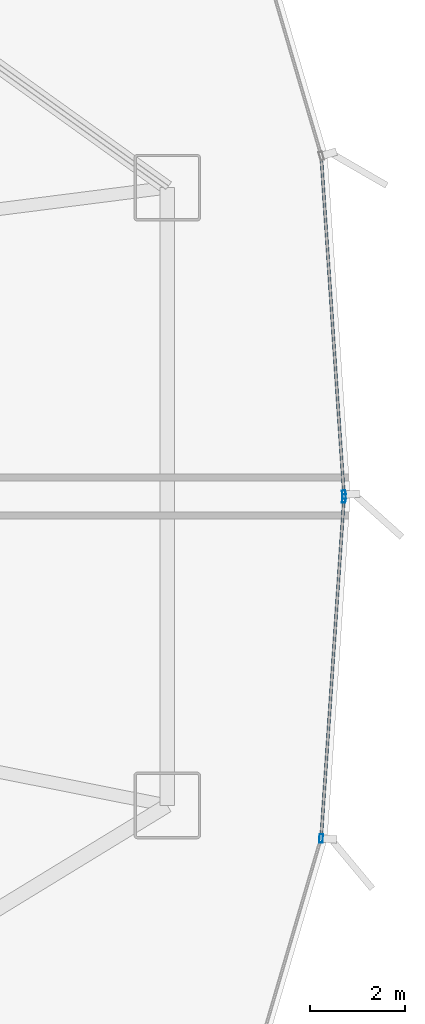
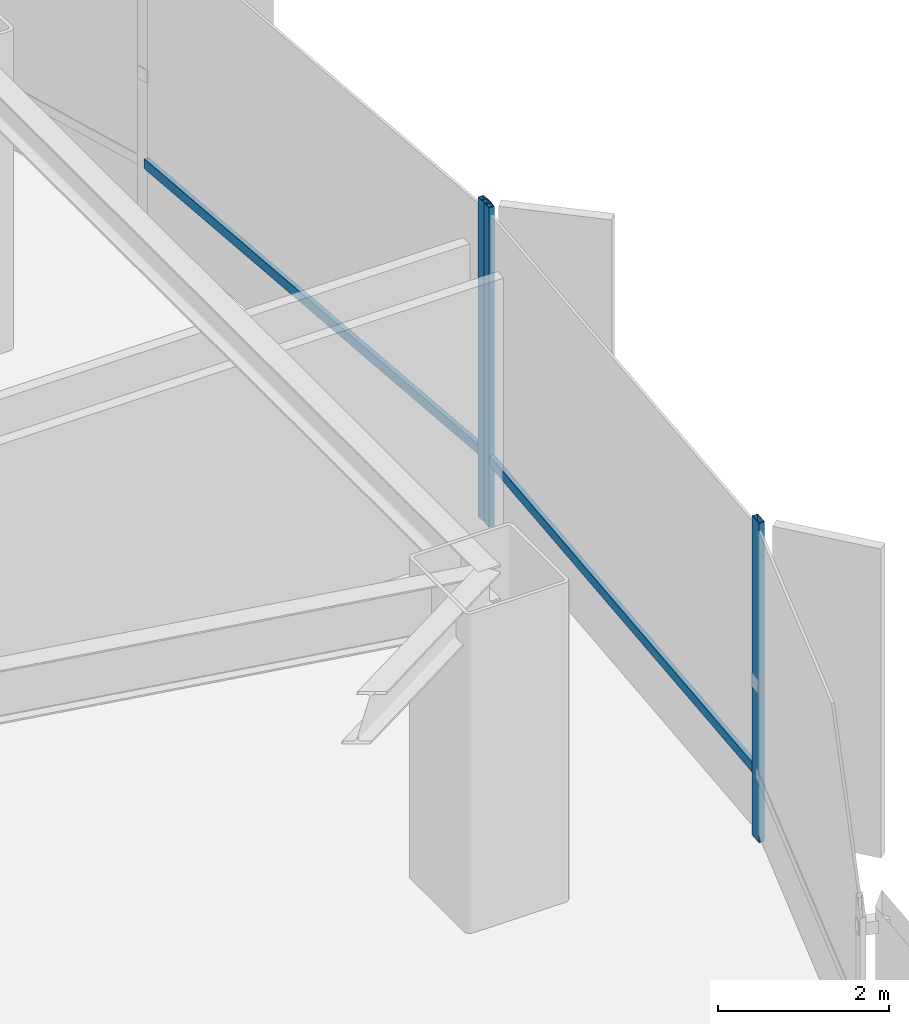
# One storey, part 19 of 34: 5 members, 2 elements without a shape of their own.
"""IFC4 building model written with IfcOpenShell, lengths in metres."""

from ifc_helpers import new_model, si_unit, direction, frame, origin, origin_2d, place, context, subcontext, project, spatial, hollow_rectangle, extrude, source, transform, mapped, material, layer, layer_set, material_profile, profile_set, type_object, element, aggregate, save


model = new_model("IFC4")

# Units and contexts
model_context = context("Model", 3, precision=1e-05, world=origin(), true_north=direction((0.0, 1.0)))
body_context = subcontext(model_context, "Body", "Model", "MODEL_VIEW")
ifc_project = project(units=[si_unit("LENGTHUNIT", "METRE"), si_unit("AREAUNIT", "SQUARE_METRE"), si_unit("VOLUMEUNIT", "CUBIC_METRE"), si_unit("PLANEANGLEUNIT", "RADIAN"), si_unit("MASSUNIT", "GRAM", prefix="KILO"), si_unit("THERMODYNAMICTEMPERATUREUNIT", "KELVIN")], contexts=[model_context])

# Site, building, storey
site_placement = place(None, origin())
site = spatial("IfcSite", under=ifc_project, at=site_placement, CompositionType="ELEMENT")
building_placement = place(site_placement, origin())
building = spatial("IfcBuilding", under=site, at=building_placement, Name="Kethvar Cultural Tower", CompositionType="ELEMENT")
storey_placement = place(building_placement, frame((0.0, 0.0, 5.199951171875)))
storey = spatial("IfcBuildingStorey", under=building, at=storey_placement, Name="L01", CompositionType="ELEMENT", Elevation=5.199951171875)

# Curtain wall, member
ifc_material = material(Name="Aluminium 6063-T6", Category="aluminium")
ifc_layer = layer(ifc_material, 0.179931640625, Name="Aluminium 6063-T6", Category="aluminium")
ifc_layer_set = layer_set([ifc_layer], Name="Aluminium 6063-T6 (180 mm)")
curtain_wall_type = type_object("IfcCurtainWallType", Name="CW-SYS-01-POD", PredefinedType="NOTDEFINED", material=ifc_layer_set)
curtain_wall_1_placement = place(storey_placement, origin())
curtain_wall_1 = element("IfcCurtainWall", 1, at=curtain_wall_1_placement, inside=storey, type_object=curtain_wall_type, Name="L01 Curtain Wall Run 01", PredefinedType="NOTDEFINED")
ifc_material_profile_1 = material_profile(ifc_material, hollow_rectangle(XDim=0.06005859375, YDim=0.139892578125, WallThickness=0.0048828125, at=origin_2d()), Name="Aluminium 6063-T6 — RHS140x60x5")
ifc_profile_set_1 = profile_set([ifc_material_profile_1], Name="Aluminium 6063-T6 — RHS140x60x5")
member_type_1 = type_object("IfcMemberType", Name="CW-SYS-01-POD-TRN", PredefinedType="USERDEFINED", material=ifc_profile_set_1)
shared_shape_1 = source(origin(), body_context, "Body", "SweptSolid", [
    extrude(hollow_rectangle(XDim=0.06005859375, YDim=0.139892578125, WallThickness=0.0048828125, at=origin_2d()), origin(), (0.0, 0.0, 1.0), 7.086669921875),
])
member_1_placement = place(storey_placement, frame((83.066650390625, 27.84521484375, 0.949951171875), z_axis=(-0.067040329347, 0.99775026647, 0.0), x_axis=(-0.99775026647, -0.067040329347, 0.0)))
member_1 = element("IfcMember", 2, at=member_1_placement, type_object=member_type_1, Name="CW-L01-R01 Transom 1", ObjectType="TRANSOM", PredefinedType="USERDEFINED", context=body_context, shape_type="MappedRepresentation", body=[
    mapped(shared_shape_1, transform((0.0, 0.0, 0.0), scale=1.0)),
])

curtain_wall_2_placement = place(storey_placement, origin())
curtain_wall_2 = element("IfcCurtainWall", 3, at=curtain_wall_2_placement, inside=storey, type_object=curtain_wall_type, Name="L01 Curtain Wall Run 06", PredefinedType="NOTDEFINED")
member_2_placement = place(storey_placement, frame((82.591552734375, 20.68408203125, 0.949951171875), z_axis=(0.067040329347, 0.99775026647, 0.0), x_axis=(-0.99775026647, 0.067040329347, 0.0)))
member_2 = element("IfcMember", 4, at=member_2_placement, type_object=member_type_1, Name="CW-L01-R06 Transom 4", ObjectType="TRANSOM", PredefinedType="USERDEFINED", context=body_context, shape_type="MappedRepresentation", body=[
    mapped(shared_shape_1, transform((0.0, 0.0, 0.0), scale=1.0)),
])

# Member
ifc_material_profile_2 = material_profile(ifc_material, hollow_rectangle(XDim=0.074951171875, YDim=0.179931640625, WallThickness=0.006103515625, at=origin_2d()), Name="Aluminium 6063-T6 — RHS180x75x6")
ifc_profile_set_2 = profile_set([ifc_material_profile_2], Name="Aluminium 6063-T6 — RHS180x75x6")
member_type_2 = type_object("IfcMemberType", Name="CW-SYS-01-POD-MUL", PredefinedType="MULLION", material=ifc_profile_set_2)
shared_shape_2 = source(origin(), body_context, "Body", "SweptSolid", [
    extrude(hollow_rectangle(XDim=0.074951171875, YDim=0.179931640625, WallThickness=0.006103515625, at=origin_2d()), origin(), (0.0, 0.0, 1.0), 4.550048828125),
])
member_3_placement = place(storey_placement, frame((83.06689453125, 27.83984375, 0.0), z_axis=(0.0, 0.0, 1.0), x_axis=(-0.997750279374, -0.067040137302, 0.0)))
member_3 = element("IfcMember", 5, at=member_3_placement, type_object=member_type_2, Name="CW-L01-R01 Mullion 1", PredefinedType="MULLION", context=body_context, shape_type="MappedRepresentation", body=[
    mapped(shared_shape_2, transform((0.0, 0.0, 0.0), scale=1.0)),
])

aggregate(curtain_wall_1, [member_3, member_1])

member_4_placement = place(storey_placement, frame((82.587890625, 20.630126953125, 0.0), z_axis=(0.0, 0.0, 1.0), x_axis=(-0.997750279374, 0.067040137302, 0.0)))
member_4 = element("IfcMember", 6, at=member_4_placement, type_object=member_type_2, Name="CW-L01-R06 Mullion 4", PredefinedType="MULLION", context=body_context, shape_type="MappedRepresentation", body=[
    mapped(shared_shape_2, transform((0.0, 0.0, 0.0), scale=1.0)),
])

member_5_placement = place(storey_placement, frame((83.06689453125, 27.760009765625, 0.0), z_axis=(0.0, 0.0, 1.0), x_axis=(-0.997750279374, 0.067040137302, 0.0)))
member_5 = element("IfcMember", 7, at=member_5_placement, type_object=member_type_2, Name="CW-L01-R06 Mullion 5", PredefinedType="MULLION", context=body_context, shape_type="MappedRepresentation", body=[
    mapped(shared_shape_2, transform((0.0, 0.0, 0.0), scale=1.0)),
])

aggregate(curtain_wall_2, [member_4, member_5, member_2])

save(model, "model.ifc")
